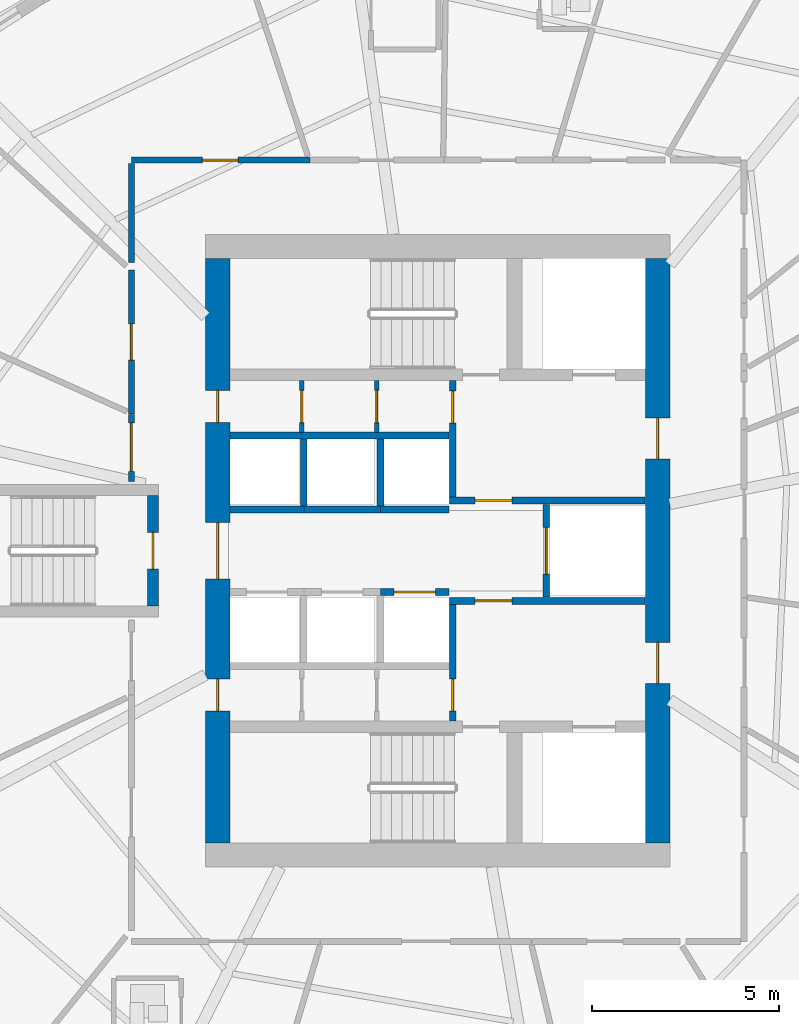
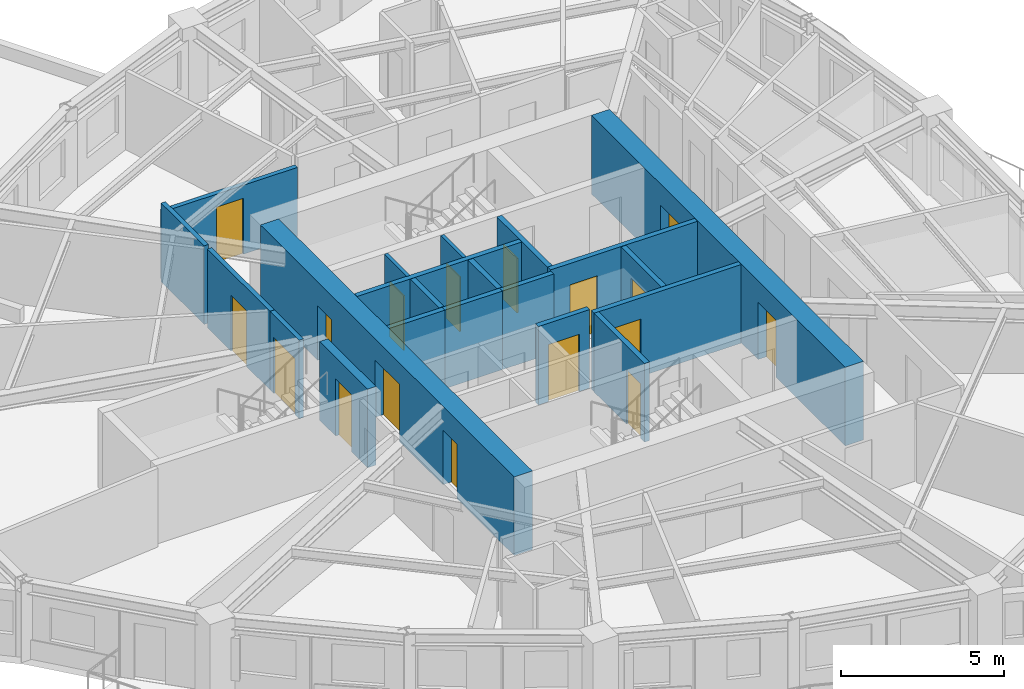
# One storey, part 5 of 13: 21 walls, 17 doors, 17 openings.
"""IFC4 building model written with IfcOpenShell, lengths in metres."""

from ifc_helpers import new_model, si_unit, direction, frame, frame_2d, origin, place, context, subcontext, project, spatial, rectangle, extrude, source, transform, mapped, material, layer, layer_set, type_object, element, fill, save


model = new_model("IFC4")

# Units and contexts
model_context = context("Model", 3, precision=1e-05, world=origin(), true_north=direction((0.0, 1.0)))
body_context = subcontext(model_context, "Body", "Model", "MODEL_VIEW")
ifc_project = project(units=[si_unit("LENGTHUNIT", "METRE"), si_unit("AREAUNIT", "SQUARE_METRE"), si_unit("VOLUMEUNIT", "CUBIC_METRE"), si_unit("PLANEANGLEUNIT", "RADIAN"), si_unit("MASSUNIT", "GRAM", prefix="KILO")], contexts=[model_context])

# Site, building, storey
site_placement = place(None, origin())
site = spatial("IfcSite", under=ifc_project, at=site_placement, CompositionType="ELEMENT")
building_placement = place(site_placement, origin())
building = spatial("IfcBuilding", under=site, at=building_placement, Name="Qafzar Sky-Pleat Residences", CompositionType="ELEMENT")
storey_placement = place(building_placement, frame((0.0, 0.0, 89.60009765625)))
storey = spatial("IfcBuildingStorey", under=building, at=storey_placement, Name="L26", CompositionType="ELEMENT", Elevation=89.60009765625)

# Wall, opening, door
ifc_material_1 = material(Name="Acoustic gypsum plasterboard partition", Category="gypsum")
ifc_layer_1 = layer(ifc_material_1, 0.159912109375)
ifc_layer_set_1 = layer_set([ifc_layer_1], Name="Acoustic gypsum plasterboard partition")
wall_type_1 = type_object("IfcWallType", Name="PART-COR-160", PredefinedType="PARTITIONING", material=ifc_layer_set_1)
wall_1_placement = place(storey_placement, frame((22.169921875, 36.429931640625, 0.0), z_axis=(0.0, 0.0, 1.0), x_axis=(1.0, 0.0, 0.0)))
wall_1 = element("IfcWall", 1, at=wall_1_placement, inside=storey, type_object=wall_type_1, Name="L26 Partition Wall PART-L26-PW-005", PredefinedType="PARTITIONING", context=body_context, shape_type="SweptSolid", body=[
    extrude(rectangle(XDim=4.76708984375, YDim=0.159912109375, at=frame_2d((2.383544921875, 0.0))), origin(), (0.0, 0.0, 1.0), 2.587890625),
])
opening_1_placement = place(wall_1_placement, frame((1.8955078125, 0.0, 0.0)))
opening_1 = element("IfcOpeningElement", 2, at=opening_1_placement, cuts=wall_1, Name="Opening ID-06", PredefinedType="OPENING", context=body_context, shape_type="SweptSolid", body=[
    extrude(rectangle(XDim=0.9599609375, YDim=2.10009765625, at=frame_2d((0.47998046875, 1.050048828125))), frame((0.0, 0.08984375, 0.0), z_axis=(0.0, -1.0, 0.0), x_axis=(1.0, 0.0, 0.0)), (0.0, 0.0, 1.0), 0.179931640625),
])
ifc_material_2 = material(Name="Timber-faced fire door", Category="wood")
door_type_1 = type_object("IfcDoorType", Name="DR-STD-960", OperationType="NOTDEFINED", PredefinedType="DOOR", material=ifc_material_2)
shared_shape_1 = source(origin(), body_context, "Body", "SweptSolid", [
    extrude(rectangle(XDim=0.9599609375, YDim=2.10009765625, at=frame_2d((0.47998046875, 1.050048828125))), frame((0.0, 0.02490234375, 0.0), z_axis=(0.0, -1.0, 0.0), x_axis=(1.0, 0.0, 0.0)), (0.0, 0.0, 1.0), 0.050048828125),
])
door_1_placement = place(opening_1_placement, origin())
door_1 = element("IfcDoor", 3, at=door_1_placement, inside=storey, type_object=door_type_1, Name="L26 Graduate Desk Workspace Door", OperationType="SINGLE_SWING_RIGHT", OverallHeight=2.10009765625, OverallWidth=0.9599609375, PredefinedType="DOOR", context=body_context, shape_type="MappedRepresentation", body=[
    mapped(shared_shape_1, transform((0.0, 0.0, 0.0), x_axis=(1.0, 0.0, 0.0), y_axis=(0.0, 1.0, 0.0), z_axis=(0.0, 0.0, 1.0), scale=1.0)),
])
fill(opening_1, door_1)

wall_2_placement = place(storey_placement, frame((22.169921875, 29.64990234375, 0.0), z_axis=(0.0, 0.0, 1.0), x_axis=(0.0, 1.0, 0.0)))
wall_2 = element("IfcWall", 4, at=wall_2_placement, inside=storey, type_object=wall_type_1, Name="L26 Partition Wall PART-L26-PW-008", PredefinedType="PARTITIONING", context=body_context, shape_type="SweptSolid", body=[
    extrude(rectangle(XDim=3.84716796875, YDim=0.159912109375, at=frame_2d((1.923583984375, 0.0))), origin(), (0.0, 0.0, 1.0), 2.949951171875),
])
opening_2_placement = place(wall_2_placement, frame((1.44091796875, 0.0, 0.0)))
opening_2 = element("IfcOpeningElement", 5, at=opening_2_placement, cuts=wall_2, Name="Opening ID-06", PredefinedType="OPENING", context=body_context, shape_type="SweptSolid", body=[
    extrude(rectangle(XDim=0.9599609375, YDim=2.10009765625, at=frame_2d((0.47998046875, 1.050048828125))), frame((0.0, 0.08984375, 0.0), z_axis=(0.0, -1.0, 0.0), x_axis=(1.0, 0.0, 0.0)), (0.0, 0.0, 1.0), 0.179931640625),
])
door_2_placement = place(opening_2_placement, origin())
door_2 = element("IfcDoor", 6, at=door_2_placement, inside=storey, type_object=door_type_1, Name="L26 Postdoctoral Admin Office Door", OperationType="SINGLE_SWING_RIGHT", OverallHeight=2.10009765625, OverallWidth=0.9599609375, PredefinedType="DOOR", context=body_context, shape_type="MappedRepresentation", body=[
    mapped(shared_shape_1, transform((0.0, 0.0, 0.0), x_axis=(1.0, 0.0, 0.0), y_axis=(0.0, 1.0, 0.0), z_axis=(0.0, 0.0, 1.0), scale=1.0)),
])
fill(opening_2, door_2)

wall_3_placement = place(storey_placement, frame((22.169921875, 27.85009765625, 0.0), z_axis=(0.0, 0.0, 1.0), x_axis=(0.0, 1.0, 0.0)))
wall_3 = element("IfcWall", 7, at=wall_3_placement, inside=storey, type_object=wall_type_1, Name="L26 Partition Wall PART-L26-PW-019", PredefinedType="PARTITIONING", context=body_context, shape_type="SweptSolid", body=[
    extrude(rectangle(XDim=1.784912109375, YDim=0.159912109375, at=frame_2d((0.892578125, 0.0))), origin(), (0.0, 0.0, 1.0), 2.949951171875),
])
opening_3_placement = place(wall_3_placement, frame((0.266845703125, 0.0, 0.0)))
opening_3 = element("IfcOpeningElement", 8, at=opening_3_placement, cuts=wall_3, Name="Opening ID-05", PredefinedType="OPENING", context=body_context, shape_type="SweptSolid", body=[
    extrude(rectangle(XDim=1.300048828125, YDim=2.10009765625, at=frame_2d((0.64990234375, 1.050048828125))), frame((0.0, 0.08984375, 0.0), z_axis=(0.0, -1.0, 0.0), x_axis=(1.0, 0.0, 0.0)), (0.0, 0.0, 1.0), 0.179931640625),
])
door_type_2 = type_object("IfcDoorType", Name="DR-LNG-1300", OperationType="DOUBLE_DOOR_SINGLE_SWING", PredefinedType="DOOR", material=ifc_material_2)
shared_shape_2 = source(origin(), body_context, "Body", "SweptSolid", [
    extrude(rectangle(XDim=1.300048828125, YDim=2.10009765625, at=frame_2d((0.64990234375, 1.050048828125))), frame((0.0, 0.02490234375, 0.0), z_axis=(0.0, -1.0, 0.0), x_axis=(1.0, 0.0, 0.0)), (0.0, 0.0, 1.0), 0.050048828125),
])
door_3_placement = place(opening_3_placement, origin())
door_3 = element("IfcDoor", 9, at=door_3_placement, inside=storey, type_object=door_type_2, Name="L26 Academic Seminar Room Door", OperationType="DOUBLE_DOOR_SINGLE_SWING", OverallHeight=2.10009765625, OverallWidth=1.300048828125, PredefinedType="DOOR", context=body_context, shape_type="MappedRepresentation", body=[
    mapped(shared_shape_2, transform((0.0, 0.0, 0.0), x_axis=(1.0, 0.0, 0.0), y_axis=(0.0, 1.0, 0.0), z_axis=(0.0, 0.0, 1.0), scale=1.0)),
])
fill(opening_3, door_3)

# Wall
wall_4_placement = place(storey_placement, frame((22.169921875, 33.69140625, 0.0), z_axis=(0.0, 0.0, 1.0), x_axis=(0.0, 1.0, 0.0)))
element("IfcWall", 10, at=wall_4_placement, inside=storey, type_object=wall_type_1, Name="L26 Partition Wall PART-L26-PW-040", PredefinedType="PARTITIONING", context=body_context, shape_type="SweptSolid", body=[
    extrude(rectangle(XDim=2.650634765625, YDim=0.159912109375, at=frame_2d((1.3251953125, 0.0))), origin(), (0.0, 0.0, 1.0), 2.949951171875),
])

# Wall, opening, door
ifc_material_3 = material(Name="Concrete blockwork partition", Category="masonry")
ifc_layer_2 = layer(ifc_material_3, 0.179931640625)
ifc_layer_set_2 = layer_set([ifc_layer_2], Name="Concrete blockwork partition")
wall_type_2 = type_object("IfcWallType", Name="PART-SHAFT-180", PredefinedType="PARTITIONING", material=ifc_layer_set_2)
wall_5_placement = place(storey_placement, frame((30.75, 21.4599609375, 0.0), z_axis=(0.0, 0.0, 1.0), x_axis=(0.0, 1.0, 0.0)))
wall_5 = element("IfcWall", 11, at=wall_5_placement, inside=storey, type_object=wall_type_2, Name="L26 Partition Wall PART-L26-FFL1-W", PredefinedType="PARTITIONING", context=body_context, shape_type="SweptSolid", body=[
    extrude(rectangle(XDim=3.110107421875, YDim=0.179931640625, at=frame_2d((1.55517578125, 0.0))), origin(), (0.0, 0.0, 1.0), 2.949951171875),
])
opening_4_placement = place(wall_5_placement, frame((0.260009765625, 0.0, 0.0)))
opening_4 = element("IfcOpeningElement", 12, at=opening_4_placement, cuts=wall_5, Name="Opening ID-09", PredefinedType="OPENING", context=body_context, shape_type="SweptSolid", body=[
    extrude(rectangle(XDim=0.860107421875, YDim=2.050048828125, at=frame_2d((0.43017578125, 1.02490234375))), frame((0.0, 0.10009765625, 0.0), z_axis=(0.0, -1.0, 0.0), x_axis=(1.0, 0.0, 0.0)), (0.0, 0.0, 1.0), 0.199951171875),
])
door_type_3 = type_object("IfcDoorType", Name="DR-SVC-860", OperationType="NOTDEFINED", PredefinedType="DOOR", material=ifc_material_2)
shared_shape_3 = source(origin(), body_context, "Body", "SweptSolid", [
    extrude(rectangle(XDim=0.860107421875, YDim=2.050048828125, at=frame_2d((0.43017578125, 1.02490234375))), frame((0.0, 0.02490234375, 0.0), z_axis=(0.0, -1.0, 0.0), x_axis=(1.0, 0.0, 0.0)), (0.0, 0.0, 1.0), 0.050048828125),
])
door_4_placement = place(opening_4_placement, origin())
door_4 = element("IfcDoor", 13, at=door_4_placement, inside=storey, type_object=door_type_3, Name="L26 South Core Cupboard Door", OperationType="SINGLE_SWING_RIGHT", OverallHeight=2.050048828125, OverallWidth=0.860107421875, PredefinedType="DOOR", context=body_context, shape_type="MappedRepresentation", body=[
    mapped(shared_shape_3, transform((0.0, 0.0, 0.0), x_axis=(1.0, 0.0, 0.0), y_axis=(0.0, 1.0, 0.0), z_axis=(0.0, 0.0, 1.0), scale=1.0)),
])
fill(opening_4, door_4)

wall_6_placement = place(storey_placement, frame((30.669921875, 24.659912109375, 0.0), z_axis=(0.0, 0.0, 1.0), x_axis=(1.0, 0.0, 0.0)))
wall_6 = element("IfcWall", 14, at=wall_6_placement, inside=storey, type_object=wall_type_2, Name="L26 Partition Wall PART-L26-FFL1-N", PredefinedType="PARTITIONING", context=body_context, shape_type="SweptSolid", body=[
    extrude(rectangle(XDim=5.219970703125, YDim=0.179931640625, at=frame_2d((2.60986328125, 0.0))), origin(), (0.0, 0.0, 1.0), 2.949951171875),
])
opening_5_placement = place(wall_6_placement, frame((0.679931640625, 0.0, 0.0)))
opening_5 = element("IfcOpeningElement", 15, at=opening_5_placement, cuts=wall_6, Name="Opening ID-01", PredefinedType="OPENING", context=body_context, shape_type="SweptSolid", body=[
    extrude(rectangle(XDim=0.97998046875, YDim=2.14990234375, at=frame_2d((0.489990234375, 1.074951171875))), frame((0.0, 0.10009765625, 0.0), z_axis=(0.0, -1.0, 0.0), x_axis=(1.0, 0.0, 0.0)), (0.0, 0.0, 1.0), 0.199951171875),
])
door_type_4 = type_object("IfcDoorType", Name="DR-STAIR-980", OperationType="NOTDEFINED", PredefinedType="DOOR", material=ifc_material_2)
shared_shape_4 = source(origin(), body_context, "Body", "SweptSolid", [
    extrude(rectangle(XDim=0.97998046875, YDim=2.14990234375, at=frame_2d((0.489990234375, 1.074951171875))), frame((0.0, 0.02490234375, 0.0), z_axis=(0.0, -1.0, 0.0), x_axis=(1.0, 0.0, 0.0)), (0.0, 0.0, 1.0), 0.050048828125),
])
door_5_placement = place(opening_5_placement, origin())
door_5 = element("IfcDoor", 16, at=door_5_placement, inside=storey, type_object=door_type_4, Name="L26 Lift Lobby to South Firefighting Lobby Door", OperationType="SINGLE_SWING_LEFT", OverallHeight=2.14990234375, OverallWidth=0.97998046875, PredefinedType="DOOR", context=body_context, shape_type="MappedRepresentation", body=[
    mapped(shared_shape_4, transform((0.0, 0.0, 0.0), x_axis=(1.0, 0.0, 0.0), y_axis=(0.0, 1.0, 0.0), z_axis=(0.0, 0.0, 1.0), scale=1.0)),
])
fill(opening_5, door_5)

wall_7_placement = place(storey_placement, frame((30.75, 27.429931640625, 0.0), z_axis=(0.0, 0.0, 1.0), x_axis=(0.0, 1.0, 0.0)))
wall_7 = element("IfcWall", 17, at=wall_7_placement, inside=storey, type_object=wall_type_2, Name="L26 Partition Wall PART-L26-FFL2-W", PredefinedType="PARTITIONING", context=body_context, shape_type="SweptSolid", body=[
    extrude(rectangle(XDim=3.110107421875, YDim=0.179931640625, at=frame_2d((1.55517578125, 0.0))), origin(), (0.0, 0.0, 1.0), 2.949951171875),
])
opening_6_placement = place(wall_7_placement, frame((1.97998046875, 0.0, 0.0)))
opening_6 = element("IfcOpeningElement", 18, at=opening_6_placement, cuts=wall_7, Name="Opening ID-09", PredefinedType="OPENING", context=body_context, shape_type="SweptSolid", body=[
    extrude(rectangle(XDim=0.860107421875, YDim=2.050048828125, at=frame_2d((0.43017578125, 1.02490234375))), frame((0.0, 0.10009765625, 0.0), z_axis=(0.0, -1.0, 0.0), x_axis=(1.0, 0.0, 0.0)), (0.0, 0.0, 1.0), 0.199951171875),
])
door_6_placement = place(opening_6_placement, origin())
door_6 = element("IfcDoor", 19, at=door_6_placement, inside=storey, type_object=door_type_3, Name="L26 North Core Cupboard Door", OperationType="SINGLE_SWING_RIGHT", OverallHeight=2.050048828125, OverallWidth=0.860107421875, PredefinedType="DOOR", context=body_context, shape_type="MappedRepresentation", body=[
    mapped(shared_shape_3, transform((0.0, 0.0, 0.0), x_axis=(1.0, 0.0, 0.0), y_axis=(0.0, 1.0, 0.0), z_axis=(0.0, 0.0, 1.0), scale=1.0)),
])
fill(opening_6, door_6)

wall_8_placement = place(storey_placement, frame((30.669921875, 27.340087890625, 0.0), z_axis=(0.0, 0.0, 1.0), x_axis=(1.0, 0.0, 0.0)))
wall_8 = element("IfcWall", 20, at=wall_8_placement, inside=storey, type_object=wall_type_2, Name="L26 Partition Wall PART-L26-FFL2-S", PredefinedType="PARTITIONING", context=body_context, shape_type="SweptSolid", body=[
    extrude(rectangle(XDim=5.219970703125, YDim=0.179931640625, at=frame_2d((2.60986328125, 0.0))), origin(), (0.0, 0.0, 1.0), 2.949951171875),
])
opening_7_placement = place(wall_8_placement, frame((0.679931640625, 0.0, 0.0)))
opening_7 = element("IfcOpeningElement", 21, at=opening_7_placement, cuts=wall_8, Name="Opening ID-01", PredefinedType="OPENING", context=body_context, shape_type="SweptSolid", body=[
    extrude(rectangle(XDim=0.97998046875, YDim=2.14990234375, at=frame_2d((0.489990234375, 1.074951171875))), frame((0.0, 0.10009765625, 0.0), z_axis=(0.0, -1.0, 0.0), x_axis=(1.0, 0.0, 0.0)), (0.0, 0.0, 1.0), 0.199951171875),
])
door_7_placement = place(opening_7_placement, origin())
door_7 = element("IfcDoor", 22, at=door_7_placement, inside=storey, type_object=door_type_4, Name="L26 Lift Lobby to North Firefighting Lobby Door", OperationType="SINGLE_SWING_LEFT", OverallHeight=2.14990234375, OverallWidth=0.97998046875, PredefinedType="DOOR", context=body_context, shape_type="MappedRepresentation", body=[
    mapped(shared_shape_4, transform((0.0, 0.0, 0.0), x_axis=(1.0, 0.0, 0.0), y_axis=(0.0, 1.0, 0.0), z_axis=(0.0, 0.0, 1.0), scale=1.0)),
])
fill(opening_7, door_7)

wall_9_placement = place(storey_placement, frame((33.25, 24.760009765625, 0.0), z_axis=(0.0, 0.0, 1.0), x_axis=(0.0, 1.0, 0.0)))
wall_9 = element("IfcWall", 23, at=wall_9_placement, inside=storey, type_object=wall_type_2, Name="L26 Partition Wall PART-L26-SV1-W", PredefinedType="PARTITIONING", context=body_context, shape_type="SweptSolid", body=[
    extrude(rectangle(XDim=2.47998046875, YDim=0.179931640625, at=frame_2d((1.239990234375, 0.0))), origin(), (0.0, 0.0, 1.0), 2.949951171875),
])
opening_8_placement = place(wall_9_placement, frame((0.614990234375, 0.0, 0.0)))
opening_8 = element("IfcOpeningElement", 24, at=opening_8_placement, cuts=wall_9, Name="Opening LD-03", PredefinedType="OPENING", context=body_context, shape_type="SweptSolid", body=[
    extrude(rectangle(XDim=1.25, YDim=2.14990234375, at=frame_2d((0.625, 1.074951171875))), frame((0.0, 0.10009765625, 0.0), z_axis=(0.0, -1.0, 0.0), x_axis=(1.0, 0.0, 0.0)), (0.0, 0.0, 1.0), 0.199951171875),
])
ifc_material_4 = material(Name="Stainless steel sliding landing door", Category="steel")
door_type_5 = type_object("IfcDoorType", Name="DR-LIFT-SV", OperationType="DOUBLE_DOOR_SLIDING", PredefinedType="DOOR", material=ifc_material_4)
shared_shape_5 = source(origin(), body_context, "Body", "SweptSolid", [
    extrude(rectangle(XDim=1.25, YDim=2.14990234375, at=frame_2d((0.625, 1.074951171875))), frame((0.0, 0.02490234375, 0.0), z_axis=(0.0, -1.0, 0.0), x_axis=(1.0, 0.0, 0.0)), (0.0, 0.0, 1.0), 0.050048828125),
])
door_8_placement = place(opening_8_placement, origin())
door_8 = element("IfcDoor", 25, at=door_8_placement, inside=storey, type_object=door_type_5, Name="L26 Service Lift SV1 Landing Door", OperationType="DOUBLE_DOOR_SLIDING", OverallHeight=2.14990234375, OverallWidth=1.25, PredefinedType="DOOR", context=body_context, shape_type="MappedRepresentation", body=[
    mapped(shared_shape_5, transform((0.0, 0.0, 0.0), x_axis=(1.0, 0.0, 0.0), y_axis=(0.0, 1.0, 0.0), z_axis=(0.0, 0.0, 1.0), scale=1.0)),
])
fill(opening_8, door_8)

wall_10_placement = place(storey_placement, frame((28.824951171875, 24.89990234375, 0.0), z_axis=(0.0, 0.0, 1.0), x_axis=(1.0, 0.0, 0.0)))
wall_10 = element("IfcWall", 26, at=wall_10_placement, inside=storey, type_object=wall_type_2, Name="L26 Partition Wall PART-L26-P3-N", PredefinedType="PARTITIONING", context=body_context, shape_type="SweptSolid", body=[
    extrude(rectangle(XDim=1.824951171875, YDim=0.179931640625, at=frame_2d((0.91259765625, 0.0))), origin(), (0.0, 0.0, 1.0), 2.949951171875),
])
opening_9_placement = place(wall_10_placement, frame((0.362548828125, 0.0, 0.0)))
opening_9 = element("IfcOpeningElement", 27, at=opening_9_placement, cuts=wall_10, Name="Opening LD-01", PredefinedType="OPENING", context=body_context, shape_type="SweptSolid", body=[
    extrude(rectangle(XDim=1.10009765625, YDim=2.14990234375, at=frame_2d((0.550048828125, 1.074951171875))), frame((0.0, 0.10009765625, 0.0), z_axis=(0.0, -1.0, 0.0), x_axis=(1.0, 0.0, 0.0)), (0.0, 0.0, 1.0), 0.199951171875),
])
door_type_6 = type_object("IfcDoorType", Name="DR-LIFT-P", OperationType="DOUBLE_DOOR_SLIDING", PredefinedType="DOOR", material=ifc_material_4)
shared_shape_6 = source(origin(), body_context, "Body", "SweptSolid", [
    extrude(rectangle(XDim=1.10009765625, YDim=2.14990234375, at=frame_2d((0.550048828125, 1.074951171875))), frame((0.0, 0.02490234375, 0.0), z_axis=(0.0, -1.0, 0.0), x_axis=(1.0, 0.0, 0.0)), (0.0, 0.0, 1.0), 0.050048828125),
])
door_9_placement = place(opening_9_placement, origin())
door_9 = element("IfcDoor", 28, at=door_9_placement, inside=storey, type_object=door_type_6, Name="L26 Passenger Lift P3 Landing Door", OperationType="DOUBLE_DOOR_SLIDING", OverallHeight=2.14990234375, OverallWidth=1.10009765625, PredefinedType="DOOR", context=body_context, shape_type="MappedRepresentation", body=[
    mapped(shared_shape_6, transform((0.0, 0.0, 0.0), x_axis=(1.0, 0.0, 0.0), y_axis=(0.0, 1.0, 0.0), z_axis=(0.0, 0.0, 1.0), scale=1.0)),
])
fill(opening_9, door_9)

# Walls
wall_11_placement = place(storey_placement, frame((24.81005859375, 29.080078125, 0.0), z_axis=(0.0, 0.0, 1.0), x_axis=(1.0, 0.0, 0.0)))
element("IfcWall", 29, at=wall_11_placement, inside=storey, type_object=wall_type_2, Name="L26 Partition Wall PART-L26-P46-N", PredefinedType="PARTITIONING", context=body_context, shape_type="SweptSolid", body=[
    extrude(rectangle(XDim=5.83984375, YDim=0.179931640625, at=frame_2d((2.919921875, 0.0))), origin(), (0.0, 0.0, 1.0), 2.949951171875),
])
wall_12_placement = place(storey_placement, frame((24.81005859375, 27.10009765625, 0.0), z_axis=(0.0, 0.0, 1.0), x_axis=(1.0, 0.0, 0.0)))
element("IfcWall", 30, at=wall_12_placement, inside=storey, type_object=wall_type_2, Name="L26 Partition Wall PART-L26-P4-S", PredefinedType="PARTITIONING", context=body_context, shape_type="SweptSolid", body=[
    extrude(rectangle(XDim=1.96484375, YDim=0.179931640625, at=frame_2d((0.982421875, 0.0))), origin(), (0.0, 0.0, 1.0), 2.949951171875),
])
wall_13_placement = place(storey_placement, frame((26.77490234375, 27.10009765625, 0.0), z_axis=(0.0, 0.0, 1.0), x_axis=(1.0, 0.0, 0.0)))
element("IfcWall", 31, at=wall_13_placement, inside=storey, type_object=wall_type_2, Name="L26 Partition Wall PART-L26-P5-S", PredefinedType="PARTITIONING", context=body_context, shape_type="SweptSolid", body=[
    extrude(rectangle(XDim=2.050048828125, YDim=0.179931640625, at=frame_2d((1.02490234375, 0.0))), origin(), (0.0, 0.0, 1.0), 2.949951171875),
])
wall_14_placement = place(storey_placement, frame((26.77490234375, 27.199951171875, 0.0), z_axis=(0.0, 0.0, 1.0), x_axis=(0.0, 1.0, 0.0)))
element("IfcWall", 32, at=wall_14_placement, inside=storey, type_object=wall_type_2, Name="L26 Partition Wall PART-L26-P46-DIV-1", PredefinedType="PARTITIONING", context=body_context, shape_type="SweptSolid", body=[
    extrude(rectangle(XDim=1.780029296875, YDim=0.179931640625, at=frame_2d((0.89013671875, 0.0))), origin(), (0.0, 0.0, 1.0), 2.949951171875),
])
wall_15_placement = place(storey_placement, frame((28.824951171875, 27.10009765625, 0.0), z_axis=(0.0, 0.0, 1.0), x_axis=(1.0, 0.0, 0.0)))
element("IfcWall", 33, at=wall_15_placement, inside=storey, type_object=wall_type_2, Name="L26 Partition Wall PART-L26-P6-S", PredefinedType="PARTITIONING", context=body_context, shape_type="SweptSolid", body=[
    extrude(rectangle(XDim=1.824951171875, YDim=0.179931640625, at=frame_2d((0.91259765625, 0.0))), origin(), (0.0, 0.0, 1.0), 2.949951171875),
])
wall_16_placement = place(storey_placement, frame((28.824951171875, 27.199951171875, 0.0), z_axis=(0.0, 0.0, 1.0), x_axis=(0.0, 1.0, 0.0)))
element("IfcWall", 34, at=wall_16_placement, inside=storey, type_object=wall_type_2, Name="L26 Partition Wall PART-L26-P46-DIV-2", PredefinedType="PARTITIONING", context=body_context, shape_type="SweptSolid", body=[
    extrude(rectangle(XDim=1.780029296875, YDim=0.179931640625, at=frame_2d((0.89013671875, 0.0))), origin(), (0.0, 0.0, 1.0), 2.949951171875),
])

# Wall, opening, door
ifc_material_5 = material(Name="Gypsum plasterboard partition", Category="gypsum")
ifc_layer_3 = layer(ifc_material_5, 0.114990234375)
ifc_layer_set_3 = layer_set([ifc_layer_3], Name="Gypsum plasterboard partition")
wall_type_3 = type_object("IfcWallType", Name="PART-SVC-115", PredefinedType="PARTITIONING", material=ifc_layer_set_3)
wall_17_placement = place(storey_placement, frame((26.72509765625, 29.159912109375, 0.0), z_axis=(0.0, 0.0, 1.0), x_axis=(0.0, 1.0, 0.0)))
wall_17 = element("IfcWall", 35, at=wall_17_placement, inside=storey, type_object=wall_type_3, Name="L26 Partition Wall PART-L26-KC-NW-1", PredefinedType="PARTITIONING", context=body_context, shape_type="SweptSolid", body=[
    extrude(rectangle(XDim=1.380126953125, YDim=0.114990234375, at=frame_2d((0.68994140625, 0.0))), origin(), (0.0, 0.0, 1.0), 2.949951171875),
])
opening_10_placement = place(wall_17_placement, frame((0.260009765625, 0.0, 0.0)))
opening_10 = element("IfcOpeningElement", 36, at=opening_10_placement, cuts=wall_17, Name="Opening ID-09", PredefinedType="OPENING", context=body_context, shape_type="SweptSolid", body=[
    extrude(rectangle(XDim=0.860107421875, YDim=2.050048828125, at=frame_2d((0.43017578125, 1.02490234375))), frame((0.0, 0.0673828125, 0.0), z_axis=(0.0, -1.0, 0.0), x_axis=(1.0, 0.0, 0.0)), (0.0, 0.0, 1.0), 0.135009765625),
])
door_10_placement = place(opening_10_placement, origin())
door_10 = element("IfcDoor", 37, at=door_10_placement, inside=storey, type_object=door_type_3, Name="L26 Core North Cupboard 1 Door", OperationType="SINGLE_SWING_LEFT", OverallHeight=2.050048828125, OverallWidth=0.860107421875, PredefinedType="DOOR", context=body_context, shape_type="MappedRepresentation", body=[
    mapped(shared_shape_3, transform((0.0, 0.0, 0.0), x_axis=(1.0, 0.0, 0.0), y_axis=(0.0, 1.0, 0.0), z_axis=(0.0, 0.0, 1.0), scale=1.0)),
])
fill(opening_10, door_10)

wall_18_placement = place(storey_placement, frame((28.72509765625, 29.159912109375, 0.0), z_axis=(0.0, 0.0, 1.0), x_axis=(0.0, 1.0, 0.0)))
wall_18 = element("IfcWall", 38, at=wall_18_placement, inside=storey, type_object=wall_type_3, Name="L26 Partition Wall PART-L26-KC-NW-2", PredefinedType="PARTITIONING", context=body_context, shape_type="SweptSolid", body=[
    extrude(rectangle(XDim=1.380126953125, YDim=0.114990234375, at=frame_2d((0.68994140625, 0.0))), origin(), (0.0, 0.0, 1.0), 2.949951171875),
])
opening_11_placement = place(wall_18_placement, frame((0.260009765625, 0.0, 0.0)))
opening_11 = element("IfcOpeningElement", 39, at=opening_11_placement, cuts=wall_18, Name="Opening ID-09", PredefinedType="OPENING", context=body_context, shape_type="SweptSolid", body=[
    extrude(rectangle(XDim=0.860107421875, YDim=2.050048828125, at=frame_2d((0.43017578125, 1.02490234375))), frame((0.0, 0.0673828125, 0.0), z_axis=(0.0, -1.0, 0.0), x_axis=(1.0, 0.0, 0.0)), (0.0, 0.0, 1.0), 0.135009765625),
])
door_11_placement = place(opening_11_placement, origin())
door_11 = element("IfcDoor", 40, at=door_11_placement, inside=storey, type_object=door_type_3, Name="L26 Core North Cupboard 2 Door", OperationType="SINGLE_SWING_LEFT", OverallHeight=2.050048828125, OverallWidth=0.860107421875, PredefinedType="DOOR", context=body_context, shape_type="MappedRepresentation", body=[
    mapped(shared_shape_3, transform((0.0, 0.0, 0.0), x_axis=(1.0, 0.0, 0.0), y_axis=(0.0, 1.0, 0.0), z_axis=(0.0, 0.0, 1.0), scale=1.0)),
])
fill(opening_11, door_11)

ifc_material_6 = material(Name="Concrete C60/75", Category="concrete")
ifc_layer_4 = layer(ifc_material_6, 0.300048828125)
ifc_layer_set_4 = layer_set([ifc_layer_4], Name="Concrete C60/75")
wall_type_4 = type_object("IfcWallType", Name="WALL-SHEAR-300", PredefinedType="SHEAR", material=ifc_layer_set_4)
wall_19_placement = place(storey_placement, frame((22.75, 24.52490234375, 0.0), z_axis=(0.0, 0.0, 1.0), x_axis=(0.0, 1.0, 0.0)))
wall_19 = element("IfcWall", 41, at=wall_19_placement, inside=storey, type_object=wall_type_4, Name="L26 ST3 wall E", PredefinedType="SHEAR", context=body_context, shape_type="SweptSolid", body=[
    extrude(rectangle(XDim=2.9501953125, YDim=0.300048828125, at=frame_2d((1.47509765625, 0.0))), origin(), (0.0, 0.0, 1.0), 2.949951171875),
])
opening_12_placement = place(wall_19_placement, frame((0.985107421875, 0.0, 0.0)))
opening_12 = element("IfcOpeningElement", 42, at=opening_12_placement, cuts=wall_19, Name="Opening ID-01", PredefinedType="OPENING", context=body_context, shape_type="SweptSolid", body=[
    extrude(rectangle(XDim=0.97998046875, YDim=2.14990234375, at=frame_2d((0.489990234375, 1.074951171875))), frame((0.0, 0.16015625, 0.0), z_axis=(0.0, -1.0, 0.0), x_axis=(1.0, 0.0, 0.0)), (0.0, 0.0, 1.0), 0.320068359375),
])
door_12_placement = place(opening_12_placement, origin())
door_12 = element("IfcDoor", 43, at=door_12_placement, inside=storey, type_object=door_type_4, Name="L26 Stair ST3 Fire Door", OperationType="SINGLE_SWING_LEFT", OverallHeight=2.14990234375, OverallWidth=0.97998046875, PredefinedType="DOOR", context=body_context, shape_type="MappedRepresentation", body=[
    mapped(shared_shape_4, transform((0.0, 0.0, 0.0), x_axis=(1.0, 0.0, 0.0), y_axis=(0.0, 1.0, 0.0), z_axis=(0.0, 0.0, 1.0), scale=1.0)),
])
fill(opening_12, door_12)

# Wall, openings, doors
ifc_layer_5 = layer(ifc_material_6, 0.64990234375)
ifc_layer_set_5 = layer_set([ifc_layer_5], Name="Concrete C60/75")
wall_type_5 = type_object("IfcWallType", Name="WALL-SHEAR-650", PredefinedType="SHEAR", material=ifc_layer_set_5)
wall_20_placement = place(storey_placement, frame((24.47509765625, 33.800048828125, 0.0), z_axis=(0.0, 0.0, 1.0), x_axis=(0.0, -1.0, 0.0)))
wall_20 = element("IfcWall", 44, at=wall_20_placement, inside=storey, type_object=wall_type_5, Name="L26 CORE wall W", PredefinedType="SHEAR", context=body_context, shape_type="SweptSolid", body=[
    extrude(rectangle(XDim=15.60009765625, YDim=0.64990234375, at=frame_2d((7.800048828125, 0.0))), origin(), (0.0, 0.0, 1.0), 2.949951171875),
])
opening_13_placement = place(wall_20_placement, frame((7.050048828125, 0.0, 0.0)))
opening_13 = element("IfcOpeningElement", 45, at=opening_13_placement, cuts=wall_20, Name="Opening ID-03", PredefinedType="OPENING", context=body_context, shape_type="SweptSolid", body=[
    extrude(rectangle(XDim=1.5, YDim=2.14990234375, at=frame_2d((0.75, 1.074951171875))), frame((0.0, 0.3349609375, 0.0), z_axis=(0.0, -1.0, 0.0), x_axis=(1.0, 0.0, 0.0)), (0.0, 0.0, 1.0), 0.669921875),
])
opening_14_placement = place(wall_20_placement, frame((3.52001953125, 0.0, 0.0)))
opening_14 = element("IfcOpeningElement", 46, at=opening_14_placement, cuts=wall_20, Name="Opening ID-09", PredefinedType="OPENING", context=body_context, shape_type="SweptSolid", body=[
    extrude(rectangle(XDim=0.860107421875, YDim=2.050048828125, at=frame_2d((0.43017578125, 1.02490234375))), frame((0.0, 0.3349609375, 0.0), z_axis=(0.0, -1.0, 0.0), x_axis=(1.0, 0.0, 0.0)), (0.0, 0.0, 1.0), 0.669921875),
])
opening_15_placement = place(wall_20_placement, frame((11.219970703125, 0.0, 0.0)))
opening_15 = element("IfcOpeningElement", 47, at=opening_15_placement, cuts=wall_20, Name="Opening ID-09", PredefinedType="OPENING", context=body_context, shape_type="SweptSolid", body=[
    extrude(rectangle(XDim=0.860107421875, YDim=2.050048828125, at=frame_2d((0.43017578125, 1.02490234375))), frame((0.0, 0.3349609375, 0.0), z_axis=(0.0, -1.0, 0.0), x_axis=(1.0, 0.0, 0.0)), (0.0, 0.0, 1.0), 0.669921875),
])
door_type_7 = type_object("IfcDoorType", Name="DR-COR-1500", OperationType="DOUBLE_DOOR_SINGLE_SWING", PredefinedType="DOOR", material=ifc_material_2)
shared_shape_7 = source(origin(), body_context, "Body", "SweptSolid", [
    extrude(rectangle(XDim=1.5, YDim=2.14990234375, at=frame_2d((0.75, 1.074951171875))), frame((0.0, 0.02490234375, 0.0), z_axis=(0.0, -1.0, 0.0), x_axis=(1.0, 0.0, 0.0)), (0.0, 0.0, 1.0), 0.050048828125),
])
door_13_placement = place(opening_13_placement, origin())
door_13 = element("IfcDoor", 48, at=door_13_placement, inside=storey, type_object=door_type_7, Name="L26 Lift Lobby West Double Door", OperationType="DOUBLE_DOOR_SINGLE_SWING", OverallHeight=2.14990234375, OverallWidth=1.5, PredefinedType="DOOR", context=body_context, shape_type="MappedRepresentation", body=[
    mapped(shared_shape_7, transform((0.0, 0.0, 0.0), x_axis=(1.0, 0.0, 0.0), y_axis=(0.0, 1.0, 0.0), z_axis=(0.0, 0.0, 1.0), scale=1.0)),
])
fill(opening_13, door_13)
door_14_placement = place(opening_14_placement, origin())
door_14 = element("IfcDoor", 49, at=door_14_placement, inside=storey, type_object=door_type_3, Name="L26 Core North-West Service Door", OperationType="SINGLE_SWING_RIGHT", OverallHeight=2.050048828125, OverallWidth=0.860107421875, PredefinedType="DOOR", context=body_context, shape_type="MappedRepresentation", body=[
    mapped(shared_shape_3, transform((0.0, 0.0, 0.0), x_axis=(1.0, 0.0, 0.0), y_axis=(0.0, 1.0, 0.0), z_axis=(0.0, 0.0, 1.0), scale=1.0)),
])
fill(opening_14, door_14)
door_15_placement = place(opening_15_placement, origin())
door_15 = element("IfcDoor", 50, at=door_15_placement, inside=storey, type_object=door_type_3, Name="L26 Core South-West Service Door", OperationType="SINGLE_SWING_LEFT", OverallHeight=2.050048828125, OverallWidth=0.860107421875, PredefinedType="DOOR", context=body_context, shape_type="MappedRepresentation", body=[
    mapped(shared_shape_3, transform((0.0, 0.0, 0.0), x_axis=(1.0, 0.0, 0.0), y_axis=(0.0, 1.0, 0.0), z_axis=(0.0, 0.0, 1.0), scale=1.0)),
])
fill(opening_15, door_15)

wall_21_placement = place(storey_placement, frame((36.22509765625, 18.199951171875, 0.0), z_axis=(0.0, 0.0, 1.0), x_axis=(0.0, 1.0, 0.0)))
wall_21 = element("IfcWall", 51, at=wall_21_placement, inside=storey, type_object=wall_type_5, Name="L26 CORE wall E", PredefinedType="SHEAR", context=body_context, shape_type="SweptSolid", body=[
    extrude(rectangle(XDim=15.60009765625, YDim=0.64990234375, at=frame_2d((7.800048828125, 0.0))), origin(), (0.0, 0.0, 1.0), 2.949951171875),
])
opening_16_placement = place(wall_21_placement, frame((4.25, 0.0, 0.0)))
opening_16 = element("IfcOpeningElement", 52, at=opening_16_placement, cuts=wall_21, Name="Opening ID-02", PredefinedType="OPENING", context=body_context, shape_type="SweptSolid", body=[
    extrude(rectangle(XDim=1.10009765625, YDim=2.14990234375, at=frame_2d((0.550048828125, 1.074951171875))), frame((0.0, 0.3349609375, 0.0), z_axis=(0.0, -1.0, 0.0), x_axis=(1.0, 0.0, 0.0)), (0.0, 0.0, 1.0), 0.669921875),
])
opening_17_placement = place(wall_21_placement, frame((10.25, 0.0, 0.0)))
opening_17 = element("IfcOpeningElement", 53, at=opening_17_placement, cuts=wall_21, Name="Opening ID-02", PredefinedType="OPENING", context=body_context, shape_type="SweptSolid", body=[
    extrude(rectangle(XDim=1.10009765625, YDim=2.14990234375, at=frame_2d((0.550048828125, 1.074951171875))), frame((0.0, 0.3349609375, 0.0), z_axis=(0.0, -1.0, 0.0), x_axis=(1.0, 0.0, 0.0)), (0.0, 0.0, 1.0), 0.669921875),
])
door_type_8 = type_object("IfcDoorType", Name="DR-FFL-1100", OperationType="NOTDEFINED", PredefinedType="DOOR", material=ifc_material_2)
door_16_placement = place(opening_16_placement, origin())
door_16 = element("IfcDoor", 54, at=door_16_placement, inside=storey, type_object=door_type_8, Name="L26 Firefighting Lobby South Corridor Door", OperationType="SINGLE_SWING_RIGHT", OverallHeight=2.14990234375, OverallWidth=1.10009765625, PredefinedType="DOOR", context=body_context, shape_type="MappedRepresentation", body=[
    mapped(shared_shape_6, transform((0.0, 0.0, 0.0), x_axis=(1.0, 0.0, 0.0), y_axis=(0.0, 1.0, 0.0), z_axis=(0.0, 0.0, 1.0), scale=1.0)),
])
fill(opening_16, door_16)
door_17_placement = place(opening_17_placement, origin())
door_17 = element("IfcDoor", 55, at=door_17_placement, inside=storey, type_object=door_type_8, Name="L26 Firefighting Lobby North Corridor Door", OperationType="SINGLE_SWING_LEFT", OverallHeight=2.14990234375, OverallWidth=1.10009765625, PredefinedType="DOOR", context=body_context, shape_type="MappedRepresentation", body=[
    mapped(shared_shape_6, transform((0.0, 0.0, 0.0), x_axis=(1.0, 0.0, 0.0), y_axis=(0.0, 1.0, 0.0), z_axis=(0.0, 0.0, 1.0), scale=1.0)),
])
fill(opening_17, door_17)

save(model, "model.ifc")
